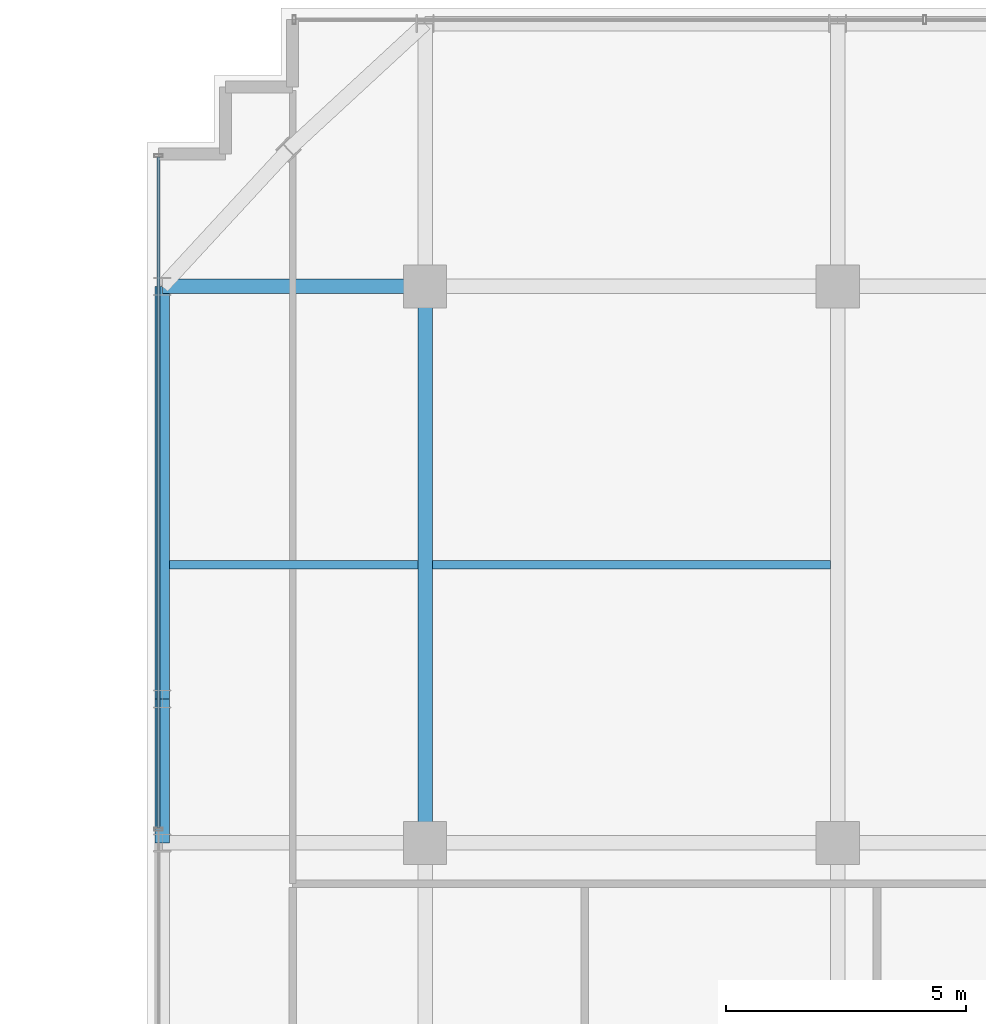
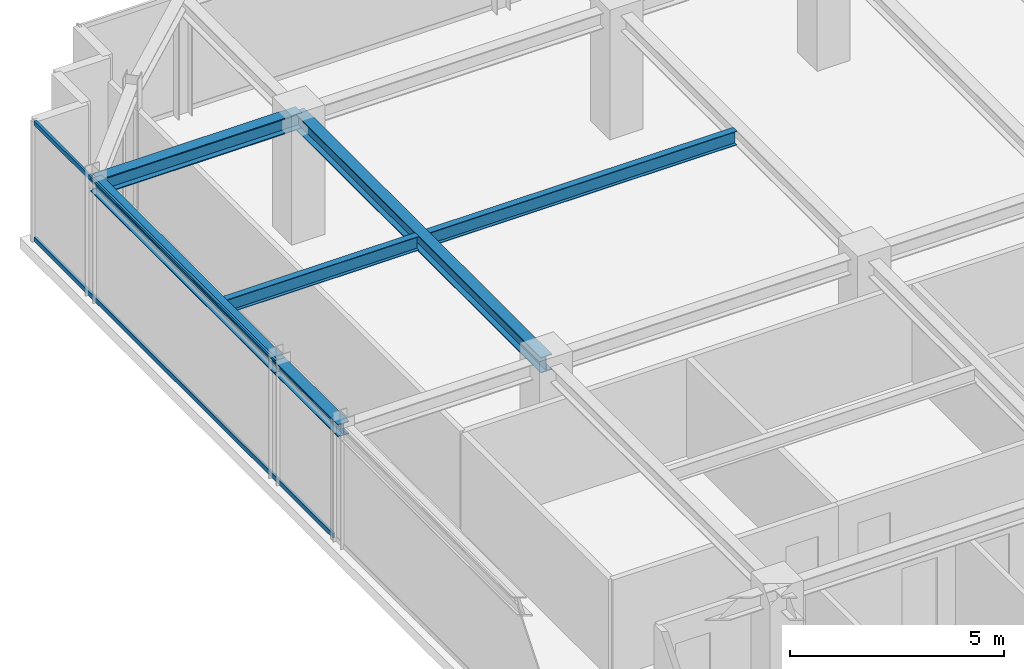
# One storey, part 17 of 31: 6 beams, 2 members, 1 element without a shape of its own.
"""IFC4 building model written with IfcOpenShell, lengths in metres."""

from ifc_helpers import new_model, si_unit, direction, frame, origin, origin_2d, place, context, subcontext, project, spatial, hollow_rectangle, i_section, extrude, source, transform, mapped, material, material_profile, profile_set, type_object, element, aggregate, save


model = new_model("IFC4")

# Units and contexts
model_context = context("Model", 3, precision=1e-05, world=origin(), true_north=direction((0.0, 1.0)))
body_context = subcontext(model_context, "Body", "Model", "MODEL_VIEW")
ifc_project = project(units=[si_unit("LENGTHUNIT", "METRE"), si_unit("AREAUNIT", "SQUARE_METRE"), si_unit("VOLUMEUNIT", "CUBIC_METRE"), si_unit("PLANEANGLEUNIT", "RADIAN"), si_unit("MASSUNIT", "GRAM", prefix="KILO")], contexts=[model_context])

# Site, building, storey
site_placement = place(None, origin())
site = spatial("IfcSite", under=ifc_project, at=site_placement, CompositionType="ELEMENT")
building_placement = place(site_placement, origin())
building = spatial("IfcBuilding", under=site, at=building_placement, Name="Nahalor Promenade Grand Hotel", CompositionType="ELEMENT")
storey_placement = place(building_placement, frame((0.0, 0.0, 277.550048828125)))
storey = spatial("IfcBuildingStorey", under=building, at=storey_placement, Name="L71", CompositionType="ELEMENT", Elevation=277.550048828125)

# Beams
ifc_material_1 = material(Name="Steel S355JR", Category="steel")
ifc_material_profile_1 = material_profile(ifc_material_1, i_section(OverallWidth=0.3, OverallDepth=0.45, WebThickness=0.014, FlangeThickness=0.026, at=origin_2d()), Name="HEB 450")
ifc_profile_set_1 = profile_set([ifc_material_profile_1], Name="Steel S355JR")
beam_type_1 = type_object("IfcBeamType", Name="Beam-Girder-HEB450", PredefinedType="BEAM", material=ifc_profile_set_1)
shared_shape_1 = source(origin(), body_context, "Body", "SweptSolid", [
    extrude(i_section(OverallWidth=0.3, OverallDepth=0.45, WebThickness=0.014, FlangeThickness=0.026, at=origin_2d()), origin(), (0.0, 0.0, 1.0), 11.60009765625),
])
beam_1_placement = place(storey_placement, frame((-17.0, 5.39990234375, 3.224853515625), z_axis=(0.0, 1.0, 0.0), x_axis=(-1.0, 0.0, 0.0)))
element("IfcBeam", 1, at=beam_1_placement, inside=storey, type_object=beam_type_1, Name="BM-L71-GY-0-3", PredefinedType="BEAM", context=body_context, shape_type="MappedRepresentation", body=[
    mapped(shared_shape_1, transform((0.0, 0.0, 0.0), scale=1.0)),
])
ifc_material_profile_2 = material_profile(ifc_material_1, i_section(OverallWidth=0.18, OverallDepth=0.4, WebThickness=0.0086, FlangeThickness=0.0135, at=origin_2d()), Name="IPE 400")
ifc_profile_set_2 = profile_set([ifc_material_profile_2], Name="Steel S355JR")
beam_type_2 = type_object("IfcBeamType", Name="Beam-Joist-IPE400", PredefinedType="JOIST", material=ifc_profile_set_2)
shared_shape_2 = source(origin(), body_context, "Body", "SweptSolid", [
    extrude(i_section(OverallWidth=0.18, OverallDepth=0.4, WebThickness=0.0086, FlangeThickness=0.0135, at=origin_2d()), origin(), (0.0, 0.0, 1.0), 8.300048828125),
])
beam_2_placement = place(storey_placement, frame((-16.85009765625, 11.199951171875, 3.25), z_axis=(1.0, 0.0, 0.0), x_axis=(0.0, 1.0, 0.0)))
element("IfcBeam", 2, at=beam_2_placement, inside=storey, type_object=beam_type_2, Name="BM-L71-JSW-1-1", PredefinedType="JOIST", context=body_context, shape_type="MappedRepresentation", body=[
    mapped(shared_shape_2, transform((0.0, 0.0, 0.0), scale=1.0)),
])
shared_shape_3 = source(origin(), body_context, "Body", "SweptSolid", [
    extrude(i_section(OverallWidth=0.3, OverallDepth=0.45, WebThickness=0.014, FlangeThickness=0.026, at=origin_2d()), origin(), (0.0, 0.0, 1.0), 5.47998046875),
])
beam_3_placement = place(storey_placement, frame((-22.47998046875, 17.0, 3.224853515625), z_axis=(1.0, 0.0, 0.0), x_axis=(0.0, 1.0, 0.0)))
element("IfcBeam", 3, at=beam_3_placement, inside=storey, type_object=beam_type_1, Name="BM-L71-GX-3-0", PredefinedType="BEAM", context=body_context, shape_type="MappedRepresentation", body=[
    mapped(shared_shape_3, transform((0.0, 0.0, 0.0), scale=1.0)),
])
shared_shape_4 = source(origin(), body_context, "Body", "SweptSolid", [
    extrude(i_section(OverallWidth=0.18, OverallDepth=0.4, WebThickness=0.0086, FlangeThickness=0.0135, at=origin_2d()), origin(), (0.0, 0.0, 1.0), 5.18017578125),
])
beam_4_placement = place(storey_placement, frame((-22.330078125, 11.199951171875, 3.25), z_axis=(1.0, 0.0, 0.0), x_axis=(0.0, 1.0, 0.0)))
element("IfcBeam", 4, at=beam_4_placement, inside=storey, type_object=beam_type_2, Name="BM-L71-JSW-1-0", PredefinedType="JOIST", context=body_context, shape_type="MappedRepresentation", body=[
    mapped(shared_shape_4, transform((0.0, 0.0, 0.0), scale=1.0)),
])
ifc_material_profile_3 = material_profile(ifc_material_1, i_section(OverallWidth=0.3, OverallDepth=0.36, WebThickness=0.0125, FlangeThickness=0.0225, at=origin_2d()), Name="HEB 360")
ifc_profile_set_3 = profile_set([ifc_material_profile_3], Name="Steel S355JR")
beam_type_3 = type_object("IfcBeamType", Name="Beam-Spandrel-HEB360", PredefinedType="SPANDREL", material=ifc_profile_set_3)
shared_shape_5 = source(origin(), body_context, "Body", "SweptSolid", [
    extrude(i_section(OverallWidth=0.3, OverallDepth=0.36, WebThickness=0.0125, FlangeThickness=0.0225, at=origin_2d()), origin(), (0.0, 0.0, 1.0), 8.60009765625),
])
beam_5_placement = place(storey_placement, frame((-22.47998046875, 8.39990234375, 3.27001953125), z_axis=(0.0, 1.0, 0.0), x_axis=(-1.0, 0.0, 0.0)))
element("IfcBeam", 5, at=beam_5_placement, inside=storey, type_object=beam_type_3, Name="BM-L71-SP-W-4", PredefinedType="SPANDREL", context=body_context, shape_type="MappedRepresentation", body=[
    mapped(shared_shape_5, transform((0.0, 0.0, 0.0), scale=1.0)),
])
shared_shape_6 = source(origin(), body_context, "Body", "SweptSolid", [
    extrude(i_section(OverallWidth=0.3, OverallDepth=0.36, WebThickness=0.0125, FlangeThickness=0.0225, at=origin_2d()), origin(), (0.0, 0.0, 1.0), 3.0),
])
beam_6_placement = place(storey_placement, frame((-22.47998046875, 5.39990234375, 3.27001953125), z_axis=(0.0, 1.0, 0.0), x_axis=(-1.0, 0.0, 0.0)))
element("IfcBeam", 6, at=beam_6_placement, inside=storey, type_object=beam_type_3, Name="BM-L71-SP-W-3", PredefinedType="SPANDREL", context=body_context, shape_type="MappedRepresentation", body=[
    mapped(shared_shape_6, transform((0.0, 0.0, 0.0), scale=1.0)),
])

# Curtain wall, members
ifc_material_2 = material(Name="Anodised Bronze Aluminium EN AW-6063 T6", Category="aluminium")
curtain_wall_type = type_object("IfcCurtainWallType", Name="CW2 Typical Hotel Flush Bronze Unitised Curtain Wall", PredefinedType="USERDEFINED", material=ifc_material_2)
curtain_wall_placement = place(storey_placement, origin())
curtain_wall = element("IfcCurtainWall", 7, at=curtain_wall_placement, inside=storey, type_object=curtain_wall_type, Name="L71 Curtain Wall CW-L71-W-3", ObjectType="UNITISED_CURTAIN_WALL", PredefinedType="USERDEFINED")
ifc_material_profile_4 = material_profile(ifc_material_2, hollow_rectangle(XDim=0.065, YDim=0.13, WallThickness=0.004, at=origin_2d()), Name="CWT 65x130x4")
ifc_profile_set_4 = profile_set([ifc_material_profile_4], Name="Anodised Bronze Aluminium EN AW-6063 T6")
member_type = type_object("IfcMemberType", Name="CWT2 Typical Bronze Transom 65x130", PredefinedType="USERDEFINED", material=ifc_profile_set_4)
shared_shape_7 = source(origin(), body_context, "Body", "SweptSolid", [
    extrude(hollow_rectangle(XDim=0.065, YDim=0.13, WallThickness=0.004, at=origin_2d()), origin(), (0.0, 0.0, 1.0), 13.982666015625),
])
member_1_placement = place(storey_placement, frame((-22.56005859375, 5.71240234375, 0.06494140625), z_axis=(0.0, 1.0, 0.0), x_axis=(-1.0, 0.0, 0.0)))
member_1 = element("IfcMember", 8, at=member_1_placement, type_object=member_type, Name="CW-L71-W-3 Transom 1-0", ObjectType="TRANSOM", PredefinedType="USERDEFINED", context=body_context, shape_type="MappedRepresentation", body=[
    mapped(shared_shape_7, transform((0.0, 0.0, 0.0), scale=1.0)),
])
member_2_placement = place(storey_placement, frame((-22.56005859375, 5.71240234375, 3.385009765625), z_axis=(0.0, 1.0, 0.0), x_axis=(-1.0, 0.0, 0.0)))
member_2 = element("IfcMember", 9, at=member_2_placement, type_object=member_type, Name="CW-L71-W-3 Transom 1-1", ObjectType="TRANSOM", PredefinedType="USERDEFINED", context=body_context, shape_type="MappedRepresentation", body=[
    mapped(shared_shape_7, transform((0.0, 0.0, 0.0), scale=1.0)),
])
aggregate(curtain_wall, [member_1, member_2])

save(model, "model.ifc")
